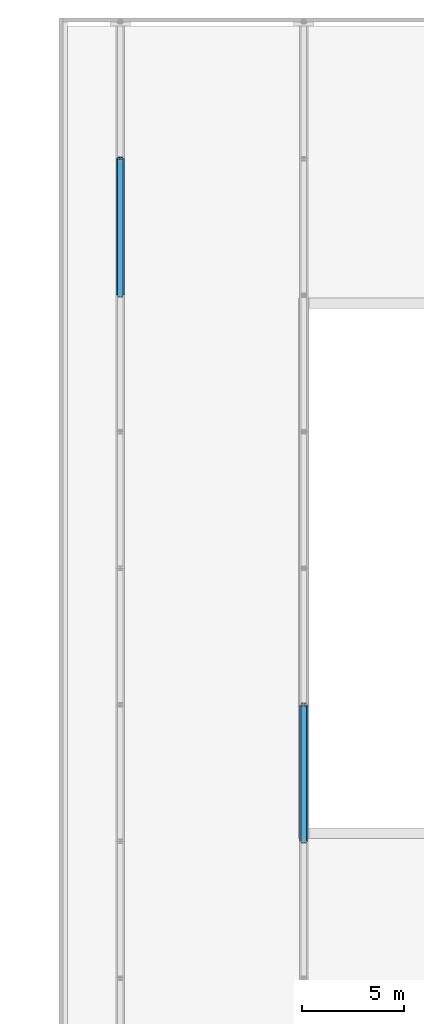
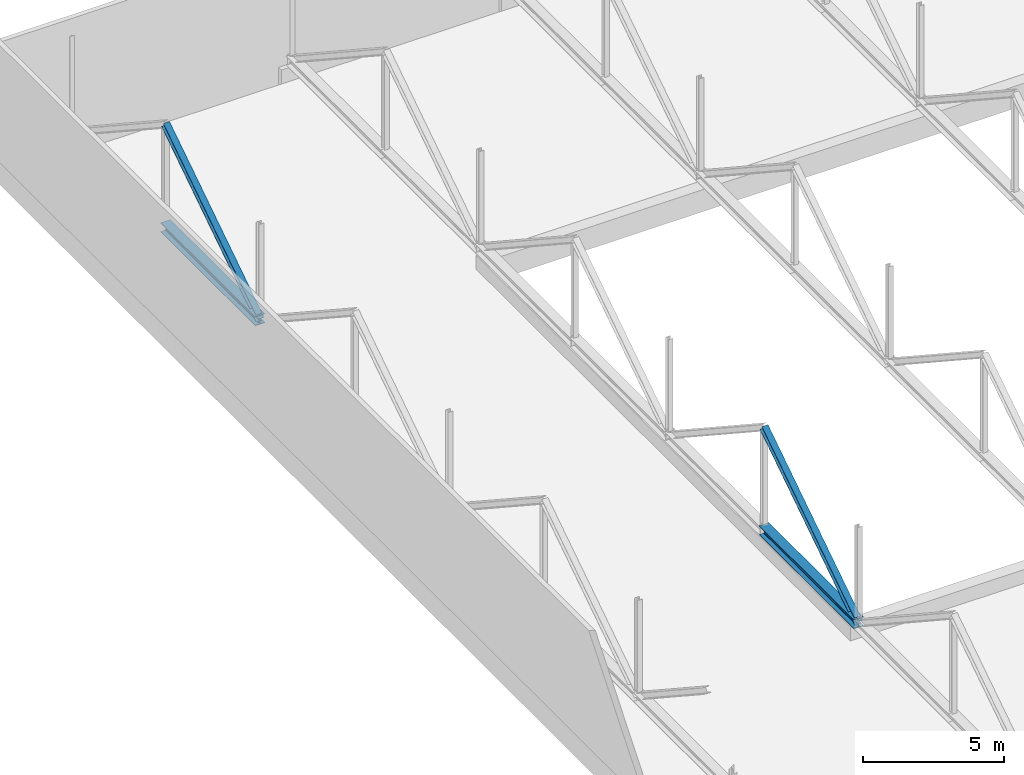
# One storey, part 10 of 49: 4 members.
"""IFC4 building model written with IfcOpenShell, lengths in metres."""

from ifc_helpers import new_model, si_unit, direction, frame, origin, origin_2d, place, context, subcontext, project, spatial, i_section, extrude, material, material_profile, profile_set, type_object, element, save


model = new_model("IFC4")

# Units and contexts
model_context = context("Model", 3, precision=1e-05, world=origin(), true_north=direction((0.0, 1.0)))
body_context = subcontext(model_context, "Body", "Model", "MODEL_VIEW")
ifc_project = project(units=[si_unit("LENGTHUNIT", "METRE"), si_unit("AREAUNIT", "SQUARE_METRE"), si_unit("VOLUMEUNIT", "CUBIC_METRE"), si_unit("PLANEANGLEUNIT", "RADIAN"), si_unit("MASSUNIT", "GRAM", prefix="KILO")], contexts=[model_context])

# Site, building, storey
site_placement = place(None, origin())
site = spatial("IfcSite", under=ifc_project, at=site_placement, CompositionType="ELEMENT")
building_placement = place(site_placement, origin())
building = spatial("IfcBuilding", under=site, at=building_placement, Name="Hunhe Ridgeline Campus", CompositionType="ELEMENT")
storey_placement = place(building_placement, frame((0.0, 0.0, 21.60009765625)))
storey = spatial("IfcBuildingStorey", under=building, at=storey_placement, Name="L04", CompositionType="ELEMENT", Elevation=21.60009765625)

# Members
ifc_material = material(Name="Steel Q355", Category="steel")
ifc_material_profile_1 = material_profile(ifc_material, i_section(OverallWidth=0.39990234375, OverallDepth=0.39990234375, WebThickness=0.012939453125, FlangeThickness=0.02099609375, FilletRadius=0.02197265625, at=origin_2d()))
ifc_profile_set_1 = profile_set([ifc_material_profile_1], Name="Steel Q355")
member_type_1 = type_object("IfcMemberType", Name="Roof truss chord HW400x400x13x21 Q355", PredefinedType="CHORD", material=ifc_profile_set_1)
member_1_placement = place(storey_placement, frame((153.0, 62.89990234375, 0.789794921875), z_axis=(0.0, 1.0, 0.0), x_axis=(-1.0, 0.0, 0.0)))
element("IfcMember", 1, at=member_1_placement, inside=storey, type_object=member_type_1, Name="Roof truss 1 bottom chord 7", PredefinedType="CHORD", context=body_context, shape_type="SweptSolid", body=[
    extrude(i_section(OverallWidth=0.39990234375, OverallDepth=0.39990234375, WebThickness=0.012939453125, FlangeThickness=0.02099609375, FilletRadius=0.02197265625, at=origin_2d()), origin(), (0.0, 0.0, 1.0), 6.7001953125),
])
member_2_placement = place(storey_placement, frame((162.0, 36.10009765625, 0.789794921875), z_axis=(0.0, 1.0, 0.0), x_axis=(-1.0, 0.0, 0.0)))
element("IfcMember", 2, at=member_2_placement, inside=storey, type_object=member_type_1, Name="Roof truss 2 bottom chord 3", PredefinedType="CHORD", context=body_context, shape_type="SweptSolid", body=[
    extrude(i_section(OverallWidth=0.39990234375, OverallDepth=0.39990234375, WebThickness=0.012939453125, FlangeThickness=0.02099609375, FilletRadius=0.02197265625, at=origin_2d()), origin(), (0.0, 0.0, 1.0), 6.699951171875),
])
ifc_material_profile_2 = material_profile(ifc_material, i_section(OverallWidth=0.25, OverallDepth=0.25, WebThickness=0.009033203125, FlangeThickness=0.013916015625, FilletRadius=0.012939453125, at=origin_2d()))
ifc_profile_set_2 = profile_set([ifc_material_profile_2], Name="Steel Q355")
member_type_2 = type_object("IfcMemberType", Name="Roof truss diagonal HW250x250x9x14 Q355", PredefinedType="BRACE", material=ifc_profile_set_2)
member_3_placement = place(storey_placement, frame((153.0, 62.89990234375, 0.789794921875), z_axis=(0.0, 0.835867991585, 0.548930506207), x_axis=(-1.0, 0.0, 0.0)))
element("IfcMember", 3, at=member_3_placement, inside=storey, type_object=member_type_2, Name="Roof truss 1 diagonal 7", PredefinedType="BRACE", context=body_context, shape_type="SweptSolid", body=[
    extrude(i_section(OverallWidth=0.25, OverallDepth=0.25, WebThickness=0.009033203125, FlangeThickness=0.013916015625, FilletRadius=0.012939453125, at=origin_2d()), origin(), (0.0, 0.0, 1.0), 8.015869140625),
])
member_4_placement = place(storey_placement, frame((162.0, 36.10009765625, 0.789794921875), z_axis=(0.0, 0.835858813721, 0.548944481277), x_axis=(-1.0, 0.0, 0.0)))
element("IfcMember", 4, at=member_4_placement, inside=storey, type_object=member_type_2, Name="Roof truss 2 diagonal 3", PredefinedType="BRACE", context=body_context, shape_type="SweptSolid", body=[
    extrude(i_section(OverallWidth=0.25, OverallDepth=0.25, WebThickness=0.009033203125, FlangeThickness=0.013916015625, FilletRadius=0.012939453125, at=origin_2d()), origin(), (0.0, 0.0, 1.0), 8.015625),
])

save(model, "model.ifc")
